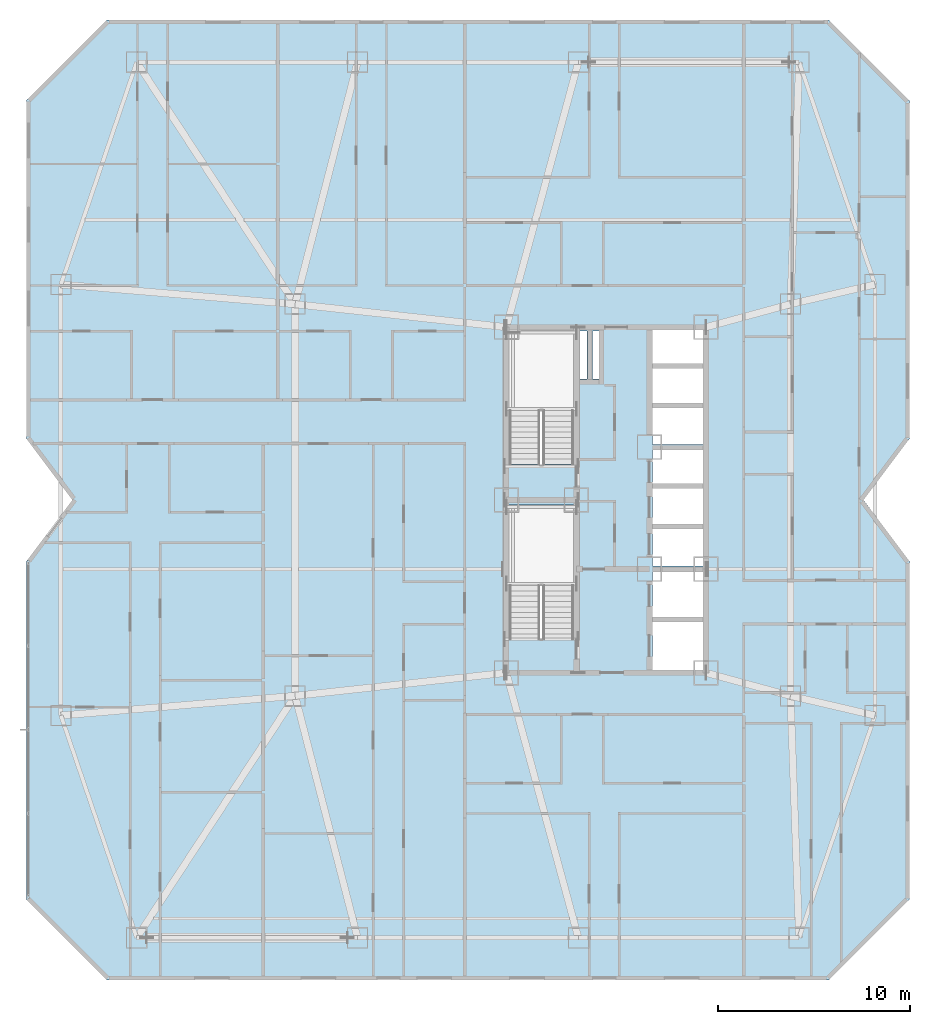
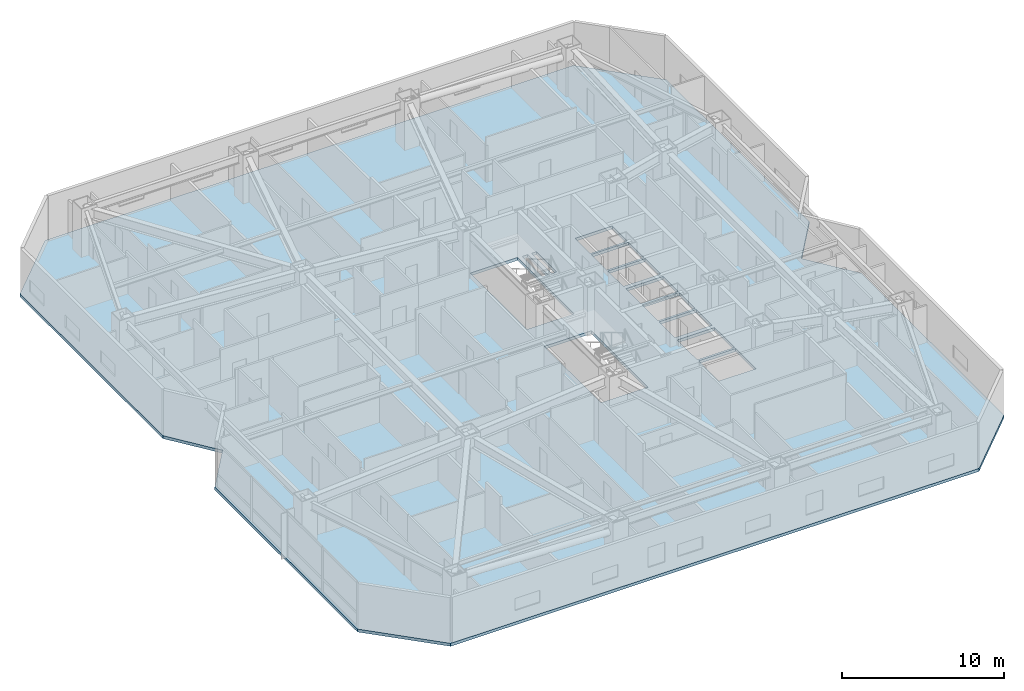
# One storey, part 8 of 18: 1 slab.
"""IFC4 building model written with IfcOpenShell, lengths in metres."""

from ifc_helpers import new_model, si_unit, direction, frame, origin, place, context, subcontext, project, spatial, polyline, outline, extrude, material, layer, layer_set, type_object, element, save


model = new_model("IFC4")

# Units and contexts
model_context = context("Model", 3, precision=1e-05, world=origin(), true_north=direction((0.0, 1.0)))
body_context = subcontext(model_context, "Body", "Model", "MODEL_VIEW")
ifc_project = project(units=[si_unit("LENGTHUNIT", "METRE"), si_unit("AREAUNIT", "SQUARE_METRE"), si_unit("VOLUMEUNIT", "CUBIC_METRE"), si_unit("PLANEANGLEUNIT", "RADIAN"), si_unit("MASSUNIT", "GRAM", prefix="KILO")], contexts=[model_context])

# Site, building, storey
site_placement = place(None, origin())
site = spatial("IfcSite", under=ifc_project, at=site_placement, CompositionType="ELEMENT")
building_placement = place(site_placement, origin())
building = spatial("IfcBuilding", under=site, at=building_placement, Name="Khamvora Tower", CompositionType="ELEMENT")
storey_placement = place(building_placement, frame((0.0, 0.0, 47.89990234375)))
storey = spatial("IfcBuildingStorey", under=building, at=storey_placement, Name="L11", CompositionType="ELEMENT", Elevation=47.89990234375)

# Slab
ifc_material = material(Name="Concrete C35/45", Category="concrete")
ifc_layer = layer(ifc_material, 0.219970703125)
ifc_layer_set = layer_set([ifc_layer], Name="Concrete C35/45")
slab_type = type_object("IfcSlabType", Name="SLB-TYP-220", PredefinedType="FLOOR", material=ifc_layer_set)
slab_placement = place(storey_placement, frame((0.0, 0.0, -0.219970703125)))
element("IfcSlab", 1, at=slab_placement, inside=storey, type_object=slab_type, Name="L11 structural floor slab", PredefinedType="FLOOR", context=body_context, shape_type="SweptSolid", body=[
    extrude(outline(polyline([(8.199951171875, 3.0), (45.800048828125, 3.0), (50.0, 7.199951171875), (50.0, 24.800048828125), (47.60009765625, 28.0), (50.0, 31.199951171875), (50.0, 48.800048828125), (45.800048828125, 53.0), (8.199951171875, 53.0), (4.0, 48.800048828125), (4.0, 31.199951171875), (6.39990234375, 28.0), (4.0, 24.800048828125), (4.0, 7.199951171875), (8.199951171875, 3.0)]), holes=[polyline([(32.5, 20.760009765625), (32.5, 27.75), (29.14990234375, 27.75), (29.14990234375, 20.760009765625), (32.5, 20.760009765625)]), polyline([(32.5, 29.860107421875), (32.5, 36.85009765625), (29.14990234375, 36.85009765625), (29.14990234375, 29.860107421875), (32.5, 29.860107421875)]), polyline([(36.60009765625, 19.14990234375), (39.25, 19.14990234375), (39.25, 21.64990234375), (36.60009765625, 21.64990234375), (36.60009765625, 19.14990234375)]), polyline([(36.60009765625, 21.800048828125), (39.25, 21.800048828125), (39.25, 24.25), (36.60009765625, 24.25), (36.60009765625, 21.800048828125)]), polyline([(36.60009765625, 24.550048828125), (39.25, 24.550048828125), (39.25, 26.5), (36.60009765625, 26.5), (36.60009765625, 24.550048828125)]), polyline([(36.60009765625, 26.64990234375), (39.25, 26.64990234375), (39.25, 28.60009765625), (36.60009765625, 28.60009765625), (36.60009765625, 26.64990234375)]), polyline([(36.60009765625, 28.75), (39.25, 28.75), (39.25, 30.60009765625), (36.60009765625, 30.60009765625), (36.60009765625, 28.75)]), polyline([(36.60009765625, 30.89990234375), (39.25, 30.89990234375), (39.25, 32.800048828125), (36.60009765625, 32.800048828125), (36.60009765625, 30.89990234375)]), polyline([(36.60009765625, 32.949951171875), (39.25, 32.949951171875), (39.25, 34.85009765625), (36.60009765625, 34.85009765625), (36.60009765625, 32.949951171875)]), polyline([(36.60009765625, 35.0), (39.25, 35.0), (39.25, 36.85009765625), (36.60009765625, 36.85009765625), (36.60009765625, 35.0)]), polyline([(32.800048828125, 34.300048828125), (33.199951171875, 34.300048828125), (33.199951171875, 36.800048828125), (32.800048828125, 36.800048828125), (32.800048828125, 34.300048828125)]), polyline([(33.47998046875, 34.300048828125), (33.820068359375, 34.300048828125), (33.820068359375, 36.800048828125), (33.47998046875, 36.800048828125), (33.47998046875, 34.300048828125)])]), origin(), (0.0, 0.0, 1.0), 0.219970703125),
])

save(model, "model.ifc")
